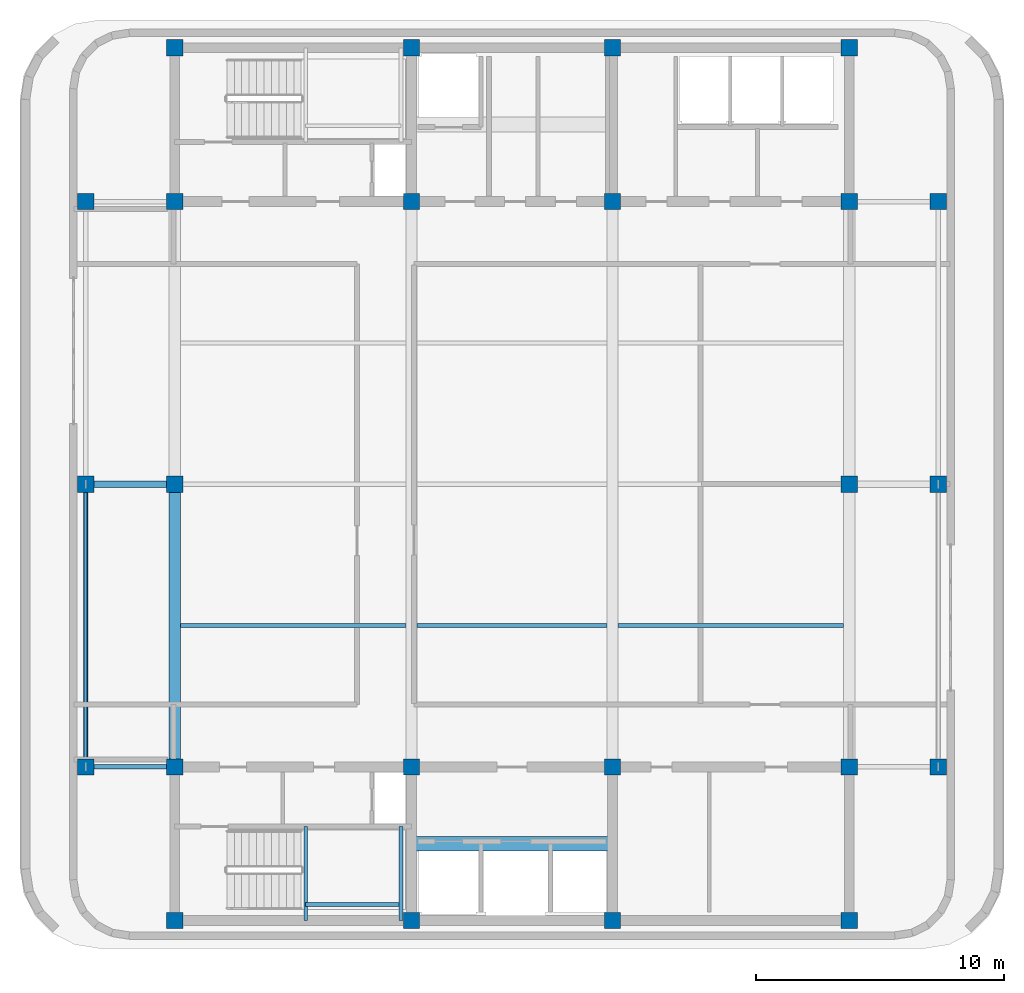
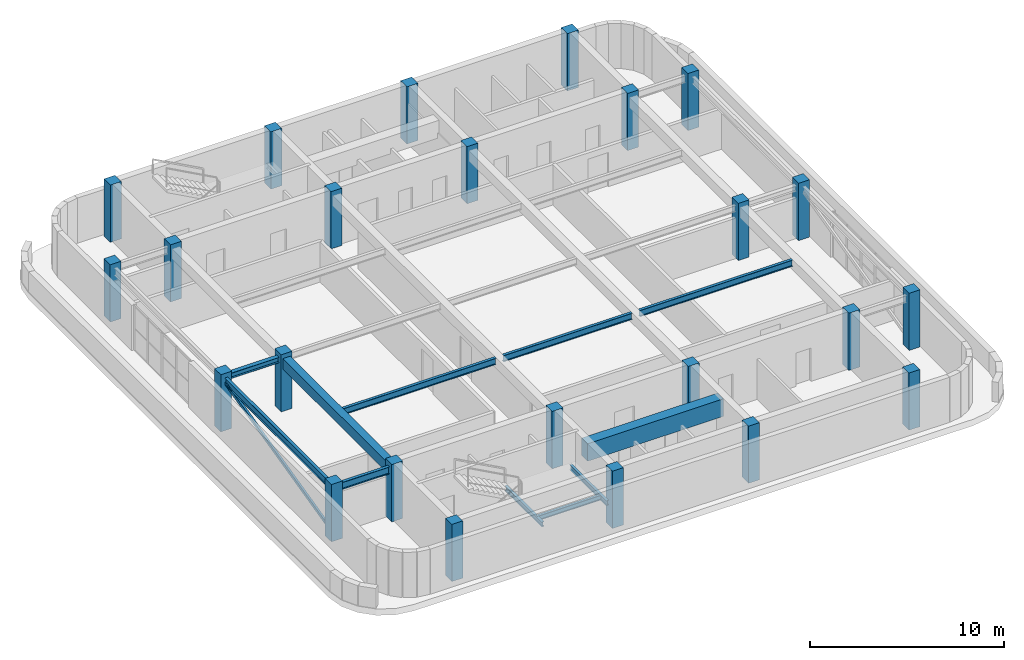
# One storey, part 1 of 9: 24 columns, 11 beams, 1 member.
"""IFC4 building model written with IfcOpenShell, lengths in metres."""

from ifc_helpers import new_model, si_unit, direction, frame, origin, origin_2d, place, context, subcontext, project, spatial, rectangle, hollow_rectangle, i_section, extrude, material, material_profile, profile_set, type_object, element, save


model = new_model("IFC4")

# Units and contexts
model_context = context("Model", 3, precision=1e-05, world=origin(), true_north=direction((0.0, 1.0)))
body_context = subcontext(model_context, "Body", "Model", "MODEL_VIEW")
ifc_project = project(units=[si_unit("LENGTHUNIT", "METRE"), si_unit("AREAUNIT", "SQUARE_METRE"), si_unit("VOLUMEUNIT", "CUBIC_METRE"), si_unit("PLANEANGLEUNIT", "RADIAN"), si_unit("MASSUNIT", "GRAM", prefix="KILO")], contexts=[model_context])

# Site, building, storey
site_placement = place(None, origin())
site = spatial("IfcSite", under=ifc_project, at=site_placement, CompositionType="ELEMENT")
building_placement = place(site_placement, origin())
building = spatial("IfcBuilding", under=site, at=building_placement, Name="Svetorya Sky Lyceum", CompositionType="ELEMENT")
storey_placement = place(building_placement, frame((0.0, 0.0, 302.0)))
storey = spatial("IfcBuildingStorey", under=building, at=storey_placement, Name="C01", CompositionType="ELEMENT", Elevation=302.0)

# Columns
ifc_material_1 = material(Name="Concrete C40/50", Category="concrete")
ifc_material_profile_1 = material_profile(ifc_material_1, rectangle(XDim=0.64990234375, YDim=0.64990234375, at=origin_2d()), Name="RC COL 650x650")
ifc_profile_set_1 = profile_set([ifc_material_profile_1], Name="Concrete C40/50")
column_type = type_object("IfcColumnType", Name="COL-RC-650", PredefinedType="COLUMN", material=ifc_profile_set_1)
for number, where, z_axis, x_axis, name in (
    (1, (25.60009765625, 10.60009765625, 0.0), (0.0, 0.0, 1.0), (1.0, 0.0, 0.0), "C01 Core Column CS-11"),
    (2, (25.60009765625, 16.800048828125, 0.0), (0.0, 0.0, 1.0), (1.0, 0.0, 0.0), "C01 Core Column CS-12"),
    (3, (35.14990234375, 10.60009765625, 0.0), (0.0, 0.0, 1.0), (1.0, 0.0, 0.0), "C01 Core Column CS-21"),
    (4, (35.14990234375, 16.800048828125, 0.0), (0.0, 0.0, 1.0), (1.0, 0.0, 0.0), "C01 Core Column CS-22"),
    (5, (43.25, 10.60009765625, 0.0), (0.0, 0.0, 1.0), (1.0, 0.0, 0.0), "C01 Core Column CS-31"),
    (6, (43.25, 16.800048828125, 0.0), (0.0, 0.0, 1.0), (1.0, 0.0, 0.0), "C01 Core Column CS-32"),
    (7, (52.800048828125, 10.60009765625, 0.0), (0.0, 0.0, 1.0), (1.0, 0.0, 0.0), "C01 Core Column CS-41"),
    (8, (52.800048828125, 16.800048828125, 0.0), (0.0, 0.0, 1.0), (1.0, 0.0, 0.0), "C01 Core Column CS-42"),
    (9, (25.60009765625, 39.60009765625, 0.0), (0.0, 0.0, 1.0), (1.0, 0.0, 0.0), "C01 Core Column CN-11"),
    (10, (25.60009765625, 45.800048828125, 0.0), (0.0, 0.0, 1.0), (1.0, 0.0, 0.0), "C01 Core Column CN-12"),
    (11, (35.14990234375, 39.60009765625, 0.0), (0.0, 0.0, 1.0), (1.0, 0.0, 0.0), "C01 Core Column CN-21"),
    (12, (35.14990234375, 45.800048828125, 0.0), (0.0, 0.0, 1.0), (1.0, 0.0, 0.0), "C01 Core Column CN-22"),
    (13, (43.25, 39.60009765625, 0.0), (0.0, 0.0, 1.0), (1.0, 0.0, 0.0), "C01 Core Column CN-31"),
    (14, (43.25, 45.800048828125, 0.0), (0.0, 0.0, 1.0), (1.0, 0.0, 0.0), "C01 Core Column CN-32"),
    (15, (52.800048828125, 39.60009765625, 0.0), (0.0, 0.0, 1.0), (1.0, 0.0, 0.0), "C01 Core Column CN-41"),
    (16, (52.800048828125, 45.800048828125, 0.0), (0.0, 0.0, 1.0), (1.0, 0.0, 0.0), "C01 Core Column CN-42"),
    (17, (25.60009765625, 28.199951171875, 0.0), (0.0, 0.0, 1.0), (1.0, 0.0, 0.0), "C01 Core Column CM-W"),
    (18, (52.800048828125, 28.199951171875, 0.0), (0.0, 0.0, 1.0), (1.0, 0.0, 0.0), "C01 Core Column CM-E"),
    (19, (22.010009765625, 16.800048828125, 0.0), (0.0, 0.0, 1.0), (1.0, 0.0, 0.0), "C01 Perimeter Column W1"),
    (20, (56.389892578125, 16.800048828125, 0.0), (0.0, 0.0, 1.0), (1.0, 0.0, 0.0), "C01 Perimeter Column E1"),
    (21, (22.010009765625, 28.199951171875, 0.0), (0.0, 0.0, 1.0), (1.0, 0.0, 0.0), "C01 Perimeter Column W2"),
    (22, (56.389892578125, 28.199951171875, 0.0), (0.0, 0.0, 1.0), (1.0, 0.0, 0.0), "C01 Perimeter Column E2"),
    (23, (22.010009765625, 39.60009765625, 0.0), (0.0, 0.0, 1.0), (1.0, 0.0, 0.0), "C01 Perimeter Column W3"),
    (24, (56.389892578125, 39.60009765625, 0.0), (0.0, 0.0, 1.0), (1.0, 0.0, 0.0), "C01 Perimeter Column E3"),
):
    element("IfcColumn", number, at=place(storey_placement, frame(where, z_axis=z_axis, x_axis=x_axis)), inside=storey, type_object=column_type, Name=name, PredefinedType="COLUMN", context=body_context, shape_type="SweptSolid", body=[
        extrude(rectangle(XDim=0.64990234375, YDim=0.64990234375, at=origin_2d()), origin(), (0.0, 0.0, 1.0), 3.60009765625),
    ])

# Beams
ifc_material_2 = material(Name="Concrete C60/75", Category="concrete")
ifc_material_profile_2 = material_profile(ifc_material_2, rectangle(XDim=0.60009765625, YDim=1.10009765625, at=origin_2d()), Name="RC COUPLING 600x1100")
ifc_profile_set_2 = profile_set([ifc_material_profile_2], Name="Concrete C60/75")
beam_type_1 = type_object("IfcBeamType", Name="BM-CPL-1100", PredefinedType="LINTEL", material=ifc_profile_set_2)
beam_1_placement = place(storey_placement, frame((35.14990234375, 13.699951171875, 2.77001953125), z_axis=(1.0, 0.0, 0.0), x_axis=(0.0, 1.0, 0.0)))
element("IfcBeam", 25, at=beam_1_placement, inside=storey, type_object=beam_type_1, Name="C01 SC Core Coupling Beam", PredefinedType="LINTEL", context=body_context, shape_type="SweptSolid", body=[
    extrude(rectangle(XDim=0.60009765625, YDim=1.10009765625, at=origin_2d()), origin(), (0.0, 0.0, 1.0), 8.10009765625),
])
ifc_material_profile_3 = material_profile(ifc_material_1, rectangle(XDim=0.449951171875, YDim=0.64990234375, at=origin_2d()), Name="RC BEAM 450x650")
ifc_profile_set_3 = profile_set([ifc_material_profile_3], Name="Concrete C40/50")
beam_type_2 = type_object("IfcBeamType", Name="BM-RC-650", PredefinedType="BEAM", material=ifc_profile_set_3)
beam_2_placement = place(storey_placement, frame((25.60009765625, 16.800048828125, 2.9951171875), z_axis=(0.0, 1.0, 0.0), x_axis=(-1.0, 0.0, 0.0)))
element("IfcBeam", 26, at=beam_2_placement, inside=storey, type_object=beam_type_2, Name="C01 Central Bay Primary Girder CG-1A", PredefinedType="BEAM", context=body_context, shape_type="SweptSolid", body=[
    extrude(rectangle(XDim=0.449951171875, YDim=0.64990234375, at=origin_2d()), origin(), (0.0, 0.0, 1.0), 11.39990234375),
])
ifc_material_3 = material(Name="Steel S355", Category="steel")
ifc_material_profile_4 = material_profile(ifc_material_3, i_section(OverallWidth=0.14990234375, OverallDepth=0.299072265625, WebThickness=0.006591796875, FlangeThickness=0.010498046875, at=origin_2d()), Name="GOST 30B2")
ifc_profile_set_4 = profile_set([ifc_material_profile_4], Name="Steel S355")
beam_type_3 = type_object("IfcBeamType", Name="BM-STL-30B2", PredefinedType="JOIST", material=ifc_profile_set_4)
for number, where, z_axis, x_axis, name in (
    (27, (30.8798828125, 10.60009765625, 1.450439453125), (0.0, 1.0, 0.0), (-1.0, 0.0, 0.0), "C01 Stair ST-S Half-Landing Support Beam 84.1"),
    (28, (34.719970703125, 10.60009765625, 1.450439453125), (0.0, 1.0, 0.0), (-1.0, 0.0, 0.0), "C01 Stair ST-S Half-Landing Support Beam 84.2"),
):
    element("IfcBeam", number, at=place(storey_placement, frame(where, z_axis=z_axis, x_axis=x_axis)), inside=storey, type_object=beam_type_3, Name=name, PredefinedType="JOIST", context=body_context, shape_type="SweptSolid", body=[
        extrude(i_section(OverallWidth=0.14990234375, OverallDepth=0.299072265625, WebThickness=0.006591796875, FlangeThickness=0.010498046875, at=origin_2d()), origin(), (0.0, 0.0, 1.0), 3.7998046875),
    ])
beam_3_placement = place(storey_placement, frame((30.8798828125, 11.25, 1.450439453125), z_axis=(1.0, 0.0, 0.0), x_axis=(0.0, 1.0, 0.0)))
element("IfcBeam", 29, at=beam_3_placement, inside=storey, type_object=beam_type_3, Name="C01 Stair ST-S Half-Landing Cross Tie 84", PredefinedType="JOIST", context=body_context, shape_type="SweptSolid", body=[
    extrude(i_section(OverallWidth=0.14990234375, OverallDepth=0.299072265625, WebThickness=0.006591796875, FlangeThickness=0.010498046875, at=origin_2d()), origin(), (0.0, 0.0, 1.0), 3.840087890625),
])
ifc_material_profile_5 = material_profile(ifc_material_3, i_section(OverallWidth=0.25, OverallDepth=0.345947265625, WebThickness=0.009521484375, FlangeThickness=0.014404296875, at=origin_2d()), Name="GOST 35Sh2")
ifc_profile_set_5 = profile_set([ifc_material_profile_5], Name="Steel S355")
beam_type_4 = type_object("IfcBeamType", Name="BM-STL-35SH2", PredefinedType="BEAM", material=ifc_profile_set_5)
beam_4_placement = place(storey_placement, frame((22.010009765625, 28.199951171875, 3.14697265625), z_axis=(1.0, 0.0, 0.0), x_axis=(0.0, 1.0, 0.0)))
element("IfcBeam", 30, at=beam_4_placement, inside=storey, type_object=beam_type_4, Name="C01 West Wing Floor Joist W2", PredefinedType="BEAM", context=body_context, shape_type="SweptSolid", body=[
    extrude(i_section(OverallWidth=0.25, OverallDepth=0.345947265625, WebThickness=0.009521484375, FlangeThickness=0.014404296875, at=origin_2d()), origin(), (0.0, 0.0, 1.0), 3.590087890625),
])
ifc_material_profile_6 = material_profile(ifc_material_3, i_section(OverallWidth=0.1650390625, OverallDepth=0.39990234375, WebThickness=0.008056640625, FlangeThickness=0.012939453125, at=origin_2d()), Name="GOST 40B2")
ifc_profile_set_6 = profile_set([ifc_material_profile_6], Name="Steel S355")
beam_type_5 = type_object("IfcBeamType", Name="BM-STL-40B2", PredefinedType="JOIST", material=ifc_profile_set_6)
beam_5_placement = place(storey_placement, frame((25.824951171875, 22.5, 3.1201171875), z_axis=(1.0, 0.0, 0.0), x_axis=(0.0, 1.0, 0.0)))
element("IfcBeam", 31, at=beam_5_placement, inside=storey, type_object=beam_type_5, Name="C01 Central Floor Joist CJ-1.1", PredefinedType="JOIST", context=body_context, shape_type="SweptSolid", body=[
    extrude(i_section(OverallWidth=0.1650390625, OverallDepth=0.39990234375, WebThickness=0.008056640625, FlangeThickness=0.012939453125, at=origin_2d()), origin(), (0.0, 0.0, 1.0), 9.10009765625),
])
beam_6_placement = place(storey_placement, frame((35.375, 22.5, 3.1201171875), z_axis=(1.0, 0.0, 0.0), x_axis=(0.0, 1.0, 0.0)))
element("IfcBeam", 32, at=beam_6_placement, inside=storey, type_object=beam_type_5, Name="C01 Central Floor Joist CJ-1.2", PredefinedType="JOIST", context=body_context, shape_type="SweptSolid", body=[
    extrude(i_section(OverallWidth=0.1650390625, OverallDepth=0.39990234375, WebThickness=0.008056640625, FlangeThickness=0.012939453125, at=origin_2d()), origin(), (0.0, 0.0, 1.0), 7.64990234375),
])
beam_7_placement = place(storey_placement, frame((43.47509765625, 22.5, 3.1201171875), z_axis=(1.0, 0.0, 0.0), x_axis=(0.0, 1.0, 0.0)))
element("IfcBeam", 33, at=beam_7_placement, inside=storey, type_object=beam_type_5, Name="C01 Central Floor Joist CJ-1.3", PredefinedType="JOIST", context=body_context, shape_type="SweptSolid", body=[
    extrude(i_section(OverallWidth=0.1650390625, OverallDepth=0.39990234375, WebThickness=0.008056640625, FlangeThickness=0.012939453125, at=origin_2d()), origin(), (0.0, 0.0, 1.0), 9.099853515625),
])
ifc_material_profile_7 = material_profile(ifc_material_3, i_section(OverallWidth=0.179931640625, OverallDepth=0.449951171875, WebThickness=0.009033203125, FlangeThickness=0.014404296875, at=origin_2d()), Name="GOST 45B2")
ifc_profile_set_7 = profile_set([ifc_material_profile_7], Name="Steel S355")
beam_type_6 = type_object("IfcBeamType", Name="BM-STL-45B2", PredefinedType="SPANDREL", material=ifc_profile_set_7)
beam_8_placement = place(storey_placement, frame((22.010009765625, 16.800048828125, 3.094970703125), z_axis=(1.0, 0.0, 0.0), x_axis=(0.0, 1.0, 0.0)))
element("IfcBeam", 34, at=beam_8_placement, inside=storey, type_object=beam_type_6, Name="C01 Tie Spandrel SW", PredefinedType="SPANDREL", context=body_context, shape_type="SweptSolid", body=[
    extrude(i_section(OverallWidth=0.179931640625, OverallDepth=0.449951171875, WebThickness=0.009033203125, FlangeThickness=0.014404296875, at=origin_2d()), origin(), (0.0, 0.0, 1.0), 3.590087890625),
])
beam_9_placement = place(storey_placement, frame((22.010009765625, 16.800048828125, 3.094970703125), z_axis=(0.0, 1.0, 0.0), x_axis=(-1.0, 0.0, 0.0)))
element("IfcBeam", 35, at=beam_9_placement, inside=storey, type_object=beam_type_6, Name="C01 West Spandrel 1", PredefinedType="SPANDREL", context=body_context, shape_type="SweptSolid", body=[
    extrude(i_section(OverallWidth=0.179931640625, OverallDepth=0.449951171875, WebThickness=0.009033203125, FlangeThickness=0.014404296875, at=origin_2d()), origin(), (0.0, 0.0, 1.0), 11.39990234375),
])

# Member
ifc_material_profile_8 = material_profile(ifc_material_3, hollow_rectangle(XDim=0.1201171875, YDim=0.199951171875, WallThickness=0.008056640625, at=origin_2d()), Name="RHS 200x120x8")
ifc_profile_set_8 = profile_set([ifc_material_profile_8], Name="Steel S355")
member_type = type_object("IfcMemberType", Name="MB-STR-RHS200", PredefinedType="STRUT", material=ifc_profile_set_8)
member_placement = place(storey_placement, frame((22.010009765625, 16.800048828125, 0.25), z_axis=(0.0, 0.971724925391, 0.236115796537), x_axis=(-1.0, 0.0, 0.0)))
element("IfcMember", 36, at=member_placement, inside=storey, type_object=member_type, Name="C01 Crown Perimeter Frame Brace W", PredefinedType="STRUT", context=body_context, shape_type="SweptSolid", body=[
    extrude(hollow_rectangle(XDim=0.1201171875, YDim=0.199951171875, WallThickness=0.008056640625, at=origin_2d()), origin(), (0.0, 0.0, 1.0), 11.731689453125),
])

save(model, "model.ifc")
